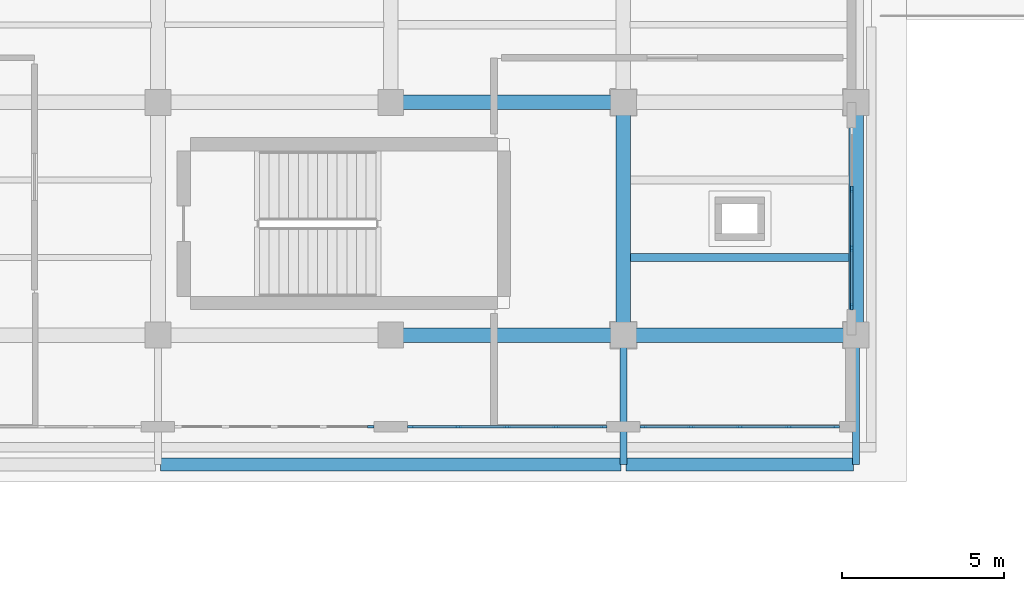
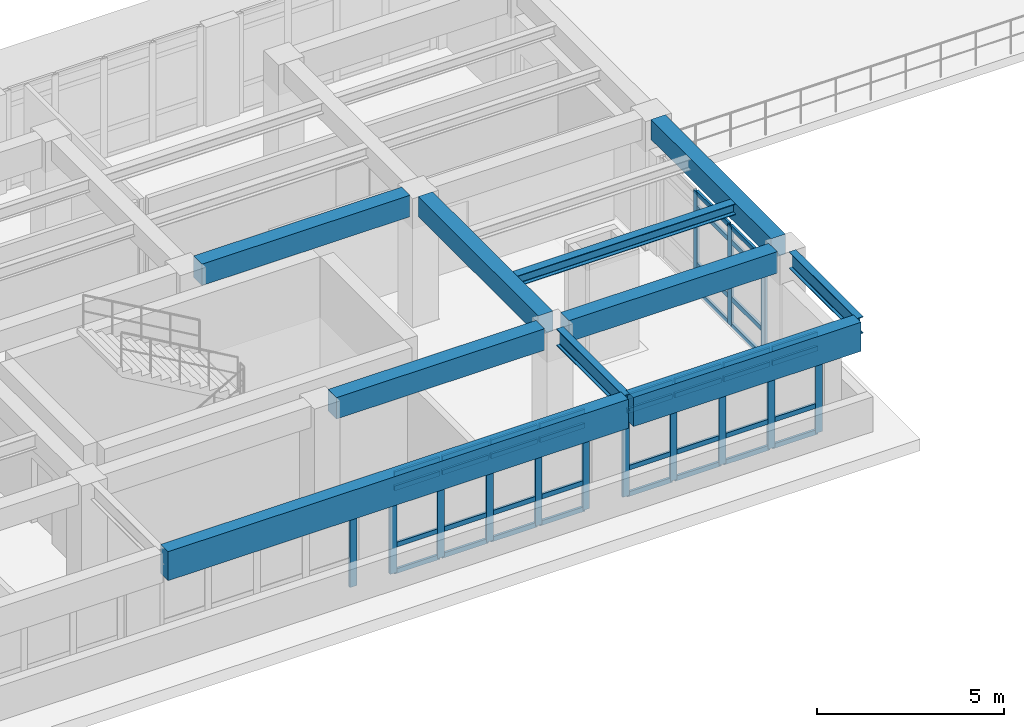
# One storey, part 13 of 67: 54 members, 10 beams, 4 elements without a shape of their own.
"""IFC4 building model written with IfcOpenShell, lengths in metres."""

from ifc_helpers import new_model, si_unit, direction, frame, origin, origin_2d, place, context, subcontext, project, spatial, rectangle, i_section, extrude, material, layer, layer_set, material_profile, profile_set, type_object, element, aggregate, save


model = new_model("IFC4")

# Units and contexts
model_context = context("Model", 3, precision=1e-05, world=origin(), true_north=direction((0.0, 1.0)))
body_context = subcontext(model_context, "Body", "Model", "MODEL_VIEW")
ifc_project = project(units=[si_unit("LENGTHUNIT", "METRE"), si_unit("AREAUNIT", "SQUARE_METRE"), si_unit("VOLUMEUNIT", "CUBIC_METRE"), si_unit("PLANEANGLEUNIT", "RADIAN"), si_unit("MASSUNIT", "GRAM", prefix="KILO")], contexts=[model_context])

# Site, building, storey
site_placement = place(None, origin())
site = spatial("IfcSite", under=ifc_project, at=site_placement, CompositionType="ELEMENT")
building_placement = place(site_placement, origin())
building = spatial("IfcBuilding", under=site, at=building_placement, Name="Solenvale Faculty of Natural Sciences", CompositionType="ELEMENT")
storey_placement = place(building_placement, frame((0.0, 0.0, 13.5)))
storey = spatial("IfcBuildingStorey", under=building, at=storey_placement, Name="L03", CompositionType="ELEMENT", Elevation=13.5)

# Beams
ifc_material_1 = material(Name="Concrete 40 MPa", Category="concrete")
ifc_material_profile_1 = material_profile(ifc_material_1, rectangle(XDim=0.449951171875, YDim=0.64990234375, at=origin_2d()), Name="RC-BM-450x650")
ifc_profile_set_1 = profile_set([ifc_material_profile_1], Name="Concrete 40 MPa")
beam_type_1 = type_object("IfcBeamType", Name="BM-RC-450x650", PredefinedType="BEAM", material=ifc_profile_set_1)
for number, where, z_axis, x_axis, name in (
    (1, (108.0, 21.97998046875, 3.89501953125), (0.0, 1.0, 0.0), (-1.0, 0.0, 0.0), "L03 Y-Girder X108.0 (21.6..28.8)"),
    (2, (115.199951171875, 21.97998046875, 3.89501953125), (0.0, 1.0, 0.0), (-1.0, 0.0, 0.0), "L03 Y-Girder X115.2 (21.6..28.8)"),
):
    element("IfcBeam", number, at=place(storey_placement, frame(where, z_axis=z_axis, x_axis=x_axis)), inside=storey, type_object=beam_type_1, Name=name, PredefinedType="BEAM", context=body_context, shape_type="SweptSolid", body=[
        extrude(rectangle(XDim=0.449951171875, YDim=0.64990234375, at=origin_2d()), origin(), (0.0, 0.0, 1.0), 6.43994140625),
    ])
ifc_material_profile_2 = material_profile(ifc_material_1, rectangle(XDim=0.449951171875, YDim=0.699951171875, at=origin_2d()), Name="RC-BM-450x700")
ifc_profile_set_2 = profile_set([ifc_material_profile_2], Name="Concrete 40 MPa")
beam_type_2 = type_object("IfcBeamType", Name="BM-RC-450x700", PredefinedType="BEAM", material=ifc_profile_set_2)
for number, where, z_axis, x_axis, name in (
    (3, (101.179931640625, 21.60009765625, 3.8701171875), (1.0, 0.0, 0.0), (0.0, 1.0, 0.0), "L03 X-Girder Y21.6 (100.8..108.0)"),
    (4, (108.3798828125, 21.60009765625, 3.8701171875), (1.0, 0.0, 0.0), (0.0, 1.0, 0.0), "L03 X-Girder Y21.6 (108.0..115.2)"),
    (5, (101.179931640625, 28.800048828125, 3.8701171875), (1.0, 0.0, 0.0), (0.0, 1.0, 0.0), "L03 X-Girder Y28.8 (100.8..108.0)"),
):
    element("IfcBeam", number, at=place(storey_placement, frame(where, z_axis=z_axis, x_axis=x_axis)), inside=storey, type_object=beam_type_2, Name=name, PredefinedType="BEAM", context=body_context, shape_type="SweptSolid", body=[
        extrude(rectangle(XDim=0.449951171875, YDim=0.699951171875, at=origin_2d()), origin(), (0.0, 0.0, 1.0), 6.440185546875),
    ])
ifc_material_2 = material(Name="Architectural bronze concrete 40 MPa", Category="concrete")
ifc_material_profile_3 = material_profile(ifc_material_2, rectangle(XDim=0.39990234375, YDim=0.949951171875, at=origin_2d()), Name="RC-SPN-400x950")
ifc_profile_set_3 = profile_set([ifc_material_profile_3], Name="Architectural bronze concrete 40 MPa")
beam_type_3 = type_object("IfcBeamType", Name="BM-SPN-BRZ-950", PredefinedType="SPANDREL", material=ifc_profile_set_3)
beam_1_placement = place(storey_placement, frame((93.679931640625, 17.60009765625, 3.7451171875), z_axis=(1.0, 0.0, 0.0), x_axis=(0.0, 1.0, 0.0)))
element("IfcBeam", 6, at=beam_1_placement, inside=storey, type_object=beam_type_3, Name="L04 Sliding-Tray South Bronze Fascia 5", PredefinedType="SPANDREL", context=body_context, shape_type="SweptSolid", body=[
    extrude(rectangle(XDim=0.39990234375, YDim=0.949951171875, at=origin_2d()), origin(), (0.0, 0.0, 1.0), 14.239990234375),
])
beam_2_placement = place(storey_placement, frame((108.080078125, 17.60009765625, 3.7451171875), z_axis=(1.0, 0.0, 0.0), x_axis=(0.0, 1.0, 0.0)))
element("IfcBeam", 7, at=beam_2_placement, inside=storey, type_object=beam_type_3, Name="L04 Sliding-Tray South Bronze Fascia 6", PredefinedType="SPANDREL", context=body_context, shape_type="SweptSolid", body=[
    extrude(rectangle(XDim=0.39990234375, YDim=0.949951171875, at=origin_2d()), origin(), (0.0, 0.0, 1.0), 7.0400390625),
])
ifc_material_3 = material(Name="Steel S355", Category="steel")
ifc_material_profile_4 = material_profile(ifc_material_3, i_section(OverallWidth=0.2548828125, OverallDepth=0.35693359375, WebThickness=0.010498046875, FlangeThickness=0.018310546875, FilletRadius=0.014892578125, at=origin_2d()), Name="W360x101")
ifc_profile_set_4 = profile_set([ifc_material_profile_4], Name="Steel S355")
beam_type_4 = type_object("IfcBeamType", Name="BM-STL-W360x101", PredefinedType="JOIST", material=ifc_profile_set_4)
beam_3_placement = place(storey_placement, frame((108.205078125, 24.0, 4.04150390625), z_axis=(1.0, 0.0, 0.0), x_axis=(0.0, 1.0, 0.0)))
element("IfcBeam", 8, at=beam_3_placement, inside=storey, type_object=beam_type_4, Name="L03 Composite Floor Joist (16,4).1", PredefinedType="JOIST", context=body_context, shape_type="SweptSolid", body=[
    extrude(i_section(OverallWidth=0.2548828125, OverallDepth=0.35693359375, WebThickness=0.010498046875, FlangeThickness=0.018310546875, FilletRadius=0.014892578125, at=origin_2d()), origin(), (0.0, 0.0, 1.0), 6.7900390625),
])
ifc_material_profile_5 = material_profile(ifc_material_3, i_section(OverallWidth=0.2119140625, OverallDepth=0.5439453125, WebThickness=0.01318359375, FlangeThickness=0.021240234375, FilletRadius=0.01904296875, at=origin_2d()), Name="W530x123")
ifc_profile_set_5 = profile_set([ifc_material_profile_5], Name="Steel S355")
beam_type_5 = type_object("IfcBeamType", Name="BM-STL-W530x123", PredefinedType="BEAM", material=ifc_profile_set_5)
for number, where, z_axis, x_axis, name in (
    (9, (108.0, 21.219970703125, 3.947998046875), (0.0, -1.0, 0.0), (1.0, 0.0, 0.0), "L03 V4 Cantilever Tray Girder X108.0"),
    (10, (115.199951171875, 21.219970703125, 3.947998046875), (0.0, -1.0, 0.0), (1.0, 0.0, 0.0), "L03 V4 Cantilever Tray Girder X115.2"),
):
    element("IfcBeam", number, at=place(storey_placement, frame(where, z_axis=z_axis, x_axis=x_axis)), inside=storey, type_object=beam_type_5, Name=name, PredefinedType="BEAM", context=body_context, shape_type="SweptSolid", body=[
        extrude(i_section(OverallWidth=0.2119140625, OverallDepth=0.5439453125, WebThickness=0.01318359375, FlangeThickness=0.021240234375, FilletRadius=0.01904296875, at=origin_2d()), origin(), (0.0, 0.0, 1.0), 3.619873046875),
    ])

# Curtain wall, member
ifc_material_4 = material(Name="Anodised bronze aluminium", Category="aluminium")
ifc_layer_1 = layer(ifc_material_4, 0.18994140625)
ifc_layer_set_1 = layer_set([ifc_layer_1], Name="Anodised bronze aluminium")
curtain_wall_type_1 = type_object("IfcCurtainWallType", Name="CW-TRAY-REC", PredefinedType="USERDEFINED", material=ifc_layer_set_1)
curtain_wall_1_placement = place(storey_placement, origin())
curtain_wall_1 = element("IfcCurtainWall", 11, at=curtain_wall_1_placement, inside=storey, type_object=curtain_wall_type_1, Name="L03 Curtain Wall CW-L03-P1-E6-B6", ObjectType="UNITISED CURTAIN WALL", PredefinedType="USERDEFINED")
ifc_material_profile_6 = material_profile(ifc_material_4, rectangle(XDim=0.074951171875, YDim=0.2099609375, at=origin_2d()), Name="ALU-MUL-75x210")
ifc_profile_set_6 = profile_set([ifc_material_profile_6], Name="Anodised bronze aluminium")
member_type_1 = type_object("IfcMemberType", Name="CWM-ALU-75x210", PredefinedType="MULLION", material=ifc_profile_set_6)
member_1_placement = place(storey_placement, frame((100.1826171875, 18.762451171875, 0.0), z_axis=(0.0, 0.0, 1.0), x_axis=(0.0, 1.0, 0.0)))
member_1 = element("IfcMember", 12, at=member_1_placement, type_object=member_type_1, Name="CW-02 mullion 5", PredefinedType="MULLION", context=body_context, shape_type="SweptSolid", body=[
    extrude(rectangle(XDim=0.074951171875, YDim=0.2099609375, at=origin_2d()), origin(), (0.0, 0.0, 1.0), 3.260009765625),
])
aggregate(curtain_wall_1, [member_1])

# Curtain wall, members
curtain_wall_2_placement = place(storey_placement, origin())
curtain_wall_2 = element("IfcCurtainWall", 13, at=curtain_wall_2_placement, inside=storey, type_object=curtain_wall_type_1, Name="L03 Curtain Wall CW-L03-P1-E6-B7", ObjectType="UNITISED CURTAIN WALL", PredefinedType="USERDEFINED")
member_2_placement = place(storey_placement, frame((101.41748046875, 18.762451171875, 0.0), z_axis=(0.0, 0.0, 1.0), x_axis=(0.0, 1.0, 0.0)))
member_2 = element("IfcMember", 14, at=member_2_placement, type_object=member_type_1, Name="CW-02 mullion 1", PredefinedType="MULLION", context=body_context, shape_type="SweptSolid", body=[
    extrude(rectangle(XDim=0.074951171875, YDim=0.2099609375, at=origin_2d()), origin(), (0.0, 0.0, 1.0), 3.260009765625),
])
member_3_placement = place(storey_placement, frame((102.889892578125, 18.762451171875, 0.0), z_axis=(0.0, 0.0, 1.0), x_axis=(0.0, 1.0, 0.0)))
member_3 = element("IfcMember", 15, at=member_3_placement, type_object=member_type_1, Name="CW-02 mullion 2", PredefinedType="MULLION", context=body_context, shape_type="SweptSolid", body=[
    extrude(rectangle(XDim=0.074951171875, YDim=0.2099609375, at=origin_2d()), origin(), (0.0, 0.0, 1.0), 3.260009765625),
])
member_4_placement = place(storey_placement, frame((104.39990234375, 18.762451171875, 0.0), z_axis=(0.0, 0.0, 1.0), x_axis=(0.0, 1.0, 0.0)))
member_4 = element("IfcMember", 16, at=member_4_placement, type_object=member_type_1, Name="CW-02 mullion 3", PredefinedType="MULLION", context=body_context, shape_type="SweptSolid", body=[
    extrude(rectangle(XDim=0.074951171875, YDim=0.2099609375, at=origin_2d()), origin(), (0.0, 0.0, 1.0), 3.260009765625),
])
member_5_placement = place(storey_placement, frame((105.909912109375, 18.762451171875, 0.0), z_axis=(0.0, 0.0, 1.0), x_axis=(0.0, 1.0, 0.0)))
member_5 = element("IfcMember", 17, at=member_5_placement, type_object=member_type_1, Name="CW-02 mullion 4", PredefinedType="MULLION", context=body_context, shape_type="SweptSolid", body=[
    extrude(rectangle(XDim=0.074951171875, YDim=0.2099609375, at=origin_2d()), origin(), (0.0, 0.0, 1.0), 3.260009765625),
])
member_6_placement = place(storey_placement, frame((107.382568359375, 18.762451171875, 0.0), z_axis=(0.0, 0.0, 1.0), x_axis=(0.0, 1.0, 0.0)))
member_6 = element("IfcMember", 18, at=member_6_placement, type_object=member_type_1, Name="CW-02 mullion 5", PredefinedType="MULLION", context=body_context, shape_type="SweptSolid", body=[
    extrude(rectangle(XDim=0.074951171875, YDim=0.2099609375, at=origin_2d()), origin(), (0.0, 0.0, 1.0), 3.260009765625),
])

curtain_wall_3_placement = place(storey_placement, origin())
curtain_wall_3 = element("IfcCurtainWall", 19, at=curtain_wall_3_placement, inside=storey, type_object=curtain_wall_type_1, Name="L03 Curtain Wall CW-L03-P1-E6-B8", ObjectType="UNITISED CURTAIN WALL", PredefinedType="USERDEFINED")
member_7_placement = place(storey_placement, frame((108.617431640625, 18.762451171875, 0.0), z_axis=(0.0, 0.0, 1.0), x_axis=(0.0, 1.0, 0.0)))
member_7 = element("IfcMember", 20, at=member_7_placement, type_object=member_type_1, Name="CW-02 mullion 1", PredefinedType="MULLION", context=body_context, shape_type="SweptSolid", body=[
    extrude(rectangle(XDim=0.074951171875, YDim=0.2099609375, at=origin_2d()), origin(), (0.0, 0.0, 1.0), 3.260009765625),
])
member_8_placement = place(storey_placement, frame((110.090087890625, 18.762451171875, 0.0), z_axis=(0.0, 0.0, 1.0), x_axis=(0.0, 1.0, 0.0)))
member_8 = element("IfcMember", 21, at=member_8_placement, type_object=member_type_1, Name="CW-02 mullion 2", PredefinedType="MULLION", context=body_context, shape_type="SweptSolid", body=[
    extrude(rectangle(XDim=0.074951171875, YDim=0.2099609375, at=origin_2d()), origin(), (0.0, 0.0, 1.0), 3.260009765625),
])
member_9_placement = place(storey_placement, frame((111.60009765625, 18.762451171875, 0.0), z_axis=(0.0, 0.0, 1.0), x_axis=(0.0, 1.0, 0.0)))
member_9 = element("IfcMember", 22, at=member_9_placement, type_object=member_type_1, Name="CW-02 mullion 3", PredefinedType="MULLION", context=body_context, shape_type="SweptSolid", body=[
    extrude(rectangle(XDim=0.074951171875, YDim=0.2099609375, at=origin_2d()), origin(), (0.0, 0.0, 1.0), 3.260009765625),
])
member_10_placement = place(storey_placement, frame((113.110107421875, 18.762451171875, 0.0), z_axis=(0.0, 0.0, 1.0), x_axis=(0.0, 1.0, 0.0)))
member_10 = element("IfcMember", 23, at=member_10_placement, type_object=member_type_1, Name="CW-02 mullion 4", PredefinedType="MULLION", context=body_context, shape_type="SweptSolid", body=[
    extrude(rectangle(XDim=0.074951171875, YDim=0.2099609375, at=origin_2d()), origin(), (0.0, 0.0, 1.0), 3.260009765625),
])
member_11_placement = place(storey_placement, frame((114.58251953125, 18.762451171875, 0.0), z_axis=(0.0, 0.0, 1.0), x_axis=(0.0, 1.0, 0.0)))
member_11 = element("IfcMember", 24, at=member_11_placement, type_object=member_type_1, Name="CW-02 mullion 5", PredefinedType="MULLION", context=body_context, shape_type="SweptSolid", body=[
    extrude(rectangle(XDim=0.074951171875, YDim=0.2099609375, at=origin_2d()), origin(), (0.0, 0.0, 1.0), 3.260009765625),
])

ifc_layer_2 = layer(ifc_material_4, 0.179931640625)
ifc_layer_set_2 = layer_set([ifc_layer_2], Name="Anodised bronze aluminium")
curtain_wall_type_2 = type_object("IfcCurtainWallType", Name="CW-TWR-MOD", PredefinedType="USERDEFINED", material=ifc_layer_set_2)
curtain_wall_4_placement = place(storey_placement, origin())
curtain_wall_4 = element("IfcCurtainWall", 25, at=curtain_wall_4_placement, inside=storey, type_object=curtain_wall_type_2, Name="L03 Curtain Wall CW-L03-P1-E7-B2", ObjectType="UNITISED CURTAIN WALL", PredefinedType="USERDEFINED")
member_12_placement = place(storey_placement, frame((115.0576171875, 22.487548828125, 0.0), z_axis=(0.0, 0.0, 1.0), x_axis=(-1.0, 0.0, 0.0)))
member_12 = element("IfcMember", 26, at=member_12_placement, type_object=member_type_1, Name="CW-04 mullion 1", PredefinedType="MULLION", context=body_context, shape_type="SweptSolid", body=[
    extrude(rectangle(XDim=0.074951171875, YDim=0.2099609375, at=origin_2d()), origin(), (0.0, 0.0, 1.0), 3.260009765625),
])
member_13_placement = place(storey_placement, frame((115.0576171875, 24.283447265625, 0.0), z_axis=(0.0, 0.0, 1.0), x_axis=(-1.0, 0.0, 0.0)))
member_13 = element("IfcMember", 27, at=member_13_placement, type_object=member_type_1, Name="CW-04 mullion 2", PredefinedType="MULLION", context=body_context, shape_type="SweptSolid", body=[
    extrude(rectangle(XDim=0.074951171875, YDim=0.2099609375, at=origin_2d()), origin(), (0.0, 0.0, 1.0), 3.260009765625),
])
member_14_placement = place(storey_placement, frame((115.0576171875, 26.11669921875, 0.0), z_axis=(0.0, 0.0, 1.0), x_axis=(-1.0, 0.0, 0.0)))
member_14 = element("IfcMember", 28, at=member_14_placement, type_object=member_type_1, Name="CW-04 mullion 3", PredefinedType="MULLION", context=body_context, shape_type="SweptSolid", body=[
    extrude(rectangle(XDim=0.074951171875, YDim=0.2099609375, at=origin_2d()), origin(), (0.0, 0.0, 1.0), 3.260009765625),
])

# Member
ifc_material_profile_7 = material_profile(ifc_material_4, rectangle(XDim=0.074951171875, YDim=0.155029296875, at=origin_2d()), Name="ALU-TRN-75x155")
ifc_profile_set_7 = profile_set([ifc_material_profile_7], Name="Anodised bronze aluminium")
member_type_2 = type_object("IfcMemberType", Name="CWT-ALU-75x155", PredefinedType="USERDEFINED", material=ifc_profile_set_7)
member_15_placement = place(storey_placement, frame((101.455078125, 18.762451171875, 0.03759765625), z_axis=(1.0, 0.0, 0.0), x_axis=(0.0, 1.0, 0.0)))
member_15 = element("IfcMember", 29, at=member_15_placement, type_object=member_type_2, Name="CW-02 transom 1.1", ObjectType="TRANSOM", PredefinedType="USERDEFINED", context=body_context, shape_type="SweptSolid", body=[
    extrude(rectangle(XDim=0.074951171875, YDim=0.155029296875, at=origin_2d()), origin(), (0.0, 0.0, 1.0), 1.3974609375),
])

member_16_placement = place(storey_placement, frame((101.455078125, 18.762451171875, 0.89990234375), z_axis=(1.0, 0.0, 0.0), x_axis=(0.0, 1.0, 0.0)))
member_16 = element("IfcMember", 30, at=member_16_placement, type_object=member_type_2, Name="CW-02 transom 1.2", ObjectType="TRANSOM", PredefinedType="USERDEFINED", context=body_context, shape_type="SweptSolid", body=[
    extrude(rectangle(XDim=0.074951171875, YDim=0.155029296875, at=origin_2d()), origin(), (0.0, 0.0, 1.0), 1.3974609375),
])

member_17_placement = place(storey_placement, frame((101.455078125, 18.762451171875, 2.760009765625), z_axis=(1.0, 0.0, 0.0), x_axis=(0.0, 1.0, 0.0)))
member_17 = element("IfcMember", 31, at=member_17_placement, type_object=member_type_2, Name="CW-02 transom 1.3", ObjectType="TRANSOM", PredefinedType="USERDEFINED", context=body_context, shape_type="SweptSolid", body=[
    extrude(rectangle(XDim=0.074951171875, YDim=0.155029296875, at=origin_2d()), origin(), (0.0, 0.0, 1.0), 1.3974609375),
])

member_18_placement = place(storey_placement, frame((101.455078125, 18.762451171875, 3.222412109375), z_axis=(1.0, 0.0, 0.0), x_axis=(0.0, 1.0, 0.0)))
member_18 = element("IfcMember", 32, at=member_18_placement, type_object=member_type_2, Name="CW-02 transom 1.4", ObjectType="TRANSOM", PredefinedType="USERDEFINED", context=body_context, shape_type="SweptSolid", body=[
    extrude(rectangle(XDim=0.074951171875, YDim=0.155029296875, at=origin_2d()), origin(), (0.0, 0.0, 1.0), 1.3974609375),
])

member_19_placement = place(storey_placement, frame((102.927490234375, 18.762451171875, 0.03759765625), z_axis=(1.0, 0.0, 0.0), x_axis=(0.0, 1.0, 0.0)))
member_19 = element("IfcMember", 33, at=member_19_placement, type_object=member_type_2, Name="CW-02 transom 2.1", ObjectType="TRANSOM", PredefinedType="USERDEFINED", context=body_context, shape_type="SweptSolid", body=[
    extrude(rectangle(XDim=0.074951171875, YDim=0.155029296875, at=origin_2d()), origin(), (0.0, 0.0, 1.0), 1.43505859375),
])

member_20_placement = place(storey_placement, frame((102.927490234375, 18.762451171875, 0.89990234375), z_axis=(1.0, 0.0, 0.0), x_axis=(0.0, 1.0, 0.0)))
member_20 = element("IfcMember", 34, at=member_20_placement, type_object=member_type_2, Name="CW-02 transom 2.2", ObjectType="TRANSOM", PredefinedType="USERDEFINED", context=body_context, shape_type="SweptSolid", body=[
    extrude(rectangle(XDim=0.074951171875, YDim=0.155029296875, at=origin_2d()), origin(), (0.0, 0.0, 1.0), 1.43505859375),
])

member_21_placement = place(storey_placement, frame((102.927490234375, 18.762451171875, 2.760009765625), z_axis=(1.0, 0.0, 0.0), x_axis=(0.0, 1.0, 0.0)))
member_21 = element("IfcMember", 35, at=member_21_placement, type_object=member_type_2, Name="CW-02 transom 2.3", ObjectType="TRANSOM", PredefinedType="USERDEFINED", context=body_context, shape_type="SweptSolid", body=[
    extrude(rectangle(XDim=0.074951171875, YDim=0.155029296875, at=origin_2d()), origin(), (0.0, 0.0, 1.0), 1.43505859375),
])

member_22_placement = place(storey_placement, frame((102.927490234375, 18.762451171875, 3.222412109375), z_axis=(1.0, 0.0, 0.0), x_axis=(0.0, 1.0, 0.0)))
member_22 = element("IfcMember", 36, at=member_22_placement, type_object=member_type_2, Name="CW-02 transom 2.4", ObjectType="TRANSOM", PredefinedType="USERDEFINED", context=body_context, shape_type="SweptSolid", body=[
    extrude(rectangle(XDim=0.074951171875, YDim=0.155029296875, at=origin_2d()), origin(), (0.0, 0.0, 1.0), 1.43505859375),
])

member_23_placement = place(storey_placement, frame((104.4375, 18.762451171875, 0.03759765625), z_axis=(1.0, 0.0, 0.0), x_axis=(0.0, 1.0, 0.0)))
member_23 = element("IfcMember", 37, at=member_23_placement, type_object=member_type_2, Name="CW-02 transom 3.1", ObjectType="TRANSOM", PredefinedType="USERDEFINED", context=body_context, shape_type="SweptSolid", body=[
    extrude(rectangle(XDim=0.074951171875, YDim=0.155029296875, at=origin_2d()), origin(), (0.0, 0.0, 1.0), 1.43505859375),
])

member_24_placement = place(storey_placement, frame((104.4375, 18.762451171875, 0.89990234375), z_axis=(1.0, 0.0, 0.0), x_axis=(0.0, 1.0, 0.0)))
member_24 = element("IfcMember", 38, at=member_24_placement, type_object=member_type_2, Name="CW-02 transom 3.2", ObjectType="TRANSOM", PredefinedType="USERDEFINED", context=body_context, shape_type="SweptSolid", body=[
    extrude(rectangle(XDim=0.074951171875, YDim=0.155029296875, at=origin_2d()), origin(), (0.0, 0.0, 1.0), 1.43505859375),
])

member_25_placement = place(storey_placement, frame((104.4375, 18.762451171875, 2.760009765625), z_axis=(1.0, 0.0, 0.0), x_axis=(0.0, 1.0, 0.0)))
member_25 = element("IfcMember", 39, at=member_25_placement, type_object=member_type_2, Name="CW-02 transom 3.3", ObjectType="TRANSOM", PredefinedType="USERDEFINED", context=body_context, shape_type="SweptSolid", body=[
    extrude(rectangle(XDim=0.074951171875, YDim=0.155029296875, at=origin_2d()), origin(), (0.0, 0.0, 1.0), 1.43505859375),
])

member_26_placement = place(storey_placement, frame((104.4375, 18.762451171875, 3.222412109375), z_axis=(1.0, 0.0, 0.0), x_axis=(0.0, 1.0, 0.0)))
member_26 = element("IfcMember", 40, at=member_26_placement, type_object=member_type_2, Name="CW-02 transom 3.4", ObjectType="TRANSOM", PredefinedType="USERDEFINED", context=body_context, shape_type="SweptSolid", body=[
    extrude(rectangle(XDim=0.074951171875, YDim=0.155029296875, at=origin_2d()), origin(), (0.0, 0.0, 1.0), 1.43505859375),
])

member_27_placement = place(storey_placement, frame((105.947509765625, 18.762451171875, 0.03759765625), z_axis=(1.0, 0.0, 0.0), x_axis=(0.0, 1.0, 0.0)))
member_27 = element("IfcMember", 41, at=member_27_placement, type_object=member_type_2, Name="CW-02 transom 4.1", ObjectType="TRANSOM", PredefinedType="USERDEFINED", context=body_context, shape_type="SweptSolid", body=[
    extrude(rectangle(XDim=0.074951171875, YDim=0.155029296875, at=origin_2d()), origin(), (0.0, 0.0, 1.0), 1.3974609375),
])

member_28_placement = place(storey_placement, frame((105.947509765625, 18.762451171875, 0.89990234375), z_axis=(1.0, 0.0, 0.0), x_axis=(0.0, 1.0, 0.0)))
member_28 = element("IfcMember", 42, at=member_28_placement, type_object=member_type_2, Name="CW-02 transom 4.2", ObjectType="TRANSOM", PredefinedType="USERDEFINED", context=body_context, shape_type="SweptSolid", body=[
    extrude(rectangle(XDim=0.074951171875, YDim=0.155029296875, at=origin_2d()), origin(), (0.0, 0.0, 1.0), 1.3974609375),
])

member_29_placement = place(storey_placement, frame((105.947509765625, 18.762451171875, 2.760009765625), z_axis=(1.0, 0.0, 0.0), x_axis=(0.0, 1.0, 0.0)))
member_29 = element("IfcMember", 43, at=member_29_placement, type_object=member_type_2, Name="CW-02 transom 4.3", ObjectType="TRANSOM", PredefinedType="USERDEFINED", context=body_context, shape_type="SweptSolid", body=[
    extrude(rectangle(XDim=0.074951171875, YDim=0.155029296875, at=origin_2d()), origin(), (0.0, 0.0, 1.0), 1.3974609375),
])

member_30_placement = place(storey_placement, frame((105.947509765625, 18.762451171875, 3.222412109375), z_axis=(1.0, 0.0, 0.0), x_axis=(0.0, 1.0, 0.0)))
member_30 = element("IfcMember", 44, at=member_30_placement, type_object=member_type_2, Name="CW-02 transom 4.4", ObjectType="TRANSOM", PredefinedType="USERDEFINED", context=body_context, shape_type="SweptSolid", body=[
    extrude(rectangle(XDim=0.074951171875, YDim=0.155029296875, at=origin_2d()), origin(), (0.0, 0.0, 1.0), 1.3974609375),
])

aggregate(curtain_wall_2, [member_2, member_3, member_4, member_5, member_6, member_15, member_16, member_17, member_18, member_19, member_20, member_21, member_22, member_23, member_24, member_25, member_26, member_27, member_28, member_29, member_30])

member_31_placement = place(storey_placement, frame((108.655029296875, 18.762451171875, 0.03759765625), z_axis=(1.0, 0.0, 0.0), x_axis=(0.0, 1.0, 0.0)))
member_31 = element("IfcMember", 45, at=member_31_placement, type_object=member_type_2, Name="CW-02 transom 1.1", ObjectType="TRANSOM", PredefinedType="USERDEFINED", context=body_context, shape_type="SweptSolid", body=[
    extrude(rectangle(XDim=0.074951171875, YDim=0.155029296875, at=origin_2d()), origin(), (0.0, 0.0, 1.0), 1.3974609375),
])

member_32_placement = place(storey_placement, frame((108.655029296875, 18.762451171875, 0.89990234375), z_axis=(1.0, 0.0, 0.0), x_axis=(0.0, 1.0, 0.0)))
member_32 = element("IfcMember", 46, at=member_32_placement, type_object=member_type_2, Name="CW-02 transom 1.2", ObjectType="TRANSOM", PredefinedType="USERDEFINED", context=body_context, shape_type="SweptSolid", body=[
    extrude(rectangle(XDim=0.074951171875, YDim=0.155029296875, at=origin_2d()), origin(), (0.0, 0.0, 1.0), 1.3974609375),
])

member_33_placement = place(storey_placement, frame((108.655029296875, 18.762451171875, 2.760009765625), z_axis=(1.0, 0.0, 0.0), x_axis=(0.0, 1.0, 0.0)))
member_33 = element("IfcMember", 47, at=member_33_placement, type_object=member_type_2, Name="CW-02 transom 1.3", ObjectType="TRANSOM", PredefinedType="USERDEFINED", context=body_context, shape_type="SweptSolid", body=[
    extrude(rectangle(XDim=0.074951171875, YDim=0.155029296875, at=origin_2d()), origin(), (0.0, 0.0, 1.0), 1.3974609375),
])

member_34_placement = place(storey_placement, frame((108.655029296875, 18.762451171875, 3.222412109375), z_axis=(1.0, 0.0, 0.0), x_axis=(0.0, 1.0, 0.0)))
member_34 = element("IfcMember", 48, at=member_34_placement, type_object=member_type_2, Name="CW-02 transom 1.4", ObjectType="TRANSOM", PredefinedType="USERDEFINED", context=body_context, shape_type="SweptSolid", body=[
    extrude(rectangle(XDim=0.074951171875, YDim=0.155029296875, at=origin_2d()), origin(), (0.0, 0.0, 1.0), 1.3974609375),
])

member_35_placement = place(storey_placement, frame((110.12744140625, 18.762451171875, 0.03759765625), z_axis=(1.0, 0.0, 0.0), x_axis=(0.0, 1.0, 0.0)))
member_35 = element("IfcMember", 49, at=member_35_placement, type_object=member_type_2, Name="CW-02 transom 2.1", ObjectType="TRANSOM", PredefinedType="USERDEFINED", context=body_context, shape_type="SweptSolid", body=[
    extrude(rectangle(XDim=0.074951171875, YDim=0.155029296875, at=origin_2d()), origin(), (0.0, 0.0, 1.0), 1.43505859375),
])

member_36_placement = place(storey_placement, frame((110.12744140625, 18.762451171875, 0.89990234375), z_axis=(1.0, 0.0, 0.0), x_axis=(0.0, 1.0, 0.0)))
member_36 = element("IfcMember", 50, at=member_36_placement, type_object=member_type_2, Name="CW-02 transom 2.2", ObjectType="TRANSOM", PredefinedType="USERDEFINED", context=body_context, shape_type="SweptSolid", body=[
    extrude(rectangle(XDim=0.074951171875, YDim=0.155029296875, at=origin_2d()), origin(), (0.0, 0.0, 1.0), 1.43505859375),
])

member_37_placement = place(storey_placement, frame((110.12744140625, 18.762451171875, 2.760009765625), z_axis=(1.0, 0.0, 0.0), x_axis=(0.0, 1.0, 0.0)))
member_37 = element("IfcMember", 51, at=member_37_placement, type_object=member_type_2, Name="CW-02 transom 2.3", ObjectType="TRANSOM", PredefinedType="USERDEFINED", context=body_context, shape_type="SweptSolid", body=[
    extrude(rectangle(XDim=0.074951171875, YDim=0.155029296875, at=origin_2d()), origin(), (0.0, 0.0, 1.0), 1.43505859375),
])

member_38_placement = place(storey_placement, frame((110.12744140625, 18.762451171875, 3.222412109375), z_axis=(1.0, 0.0, 0.0), x_axis=(0.0, 1.0, 0.0)))
member_38 = element("IfcMember", 52, at=member_38_placement, type_object=member_type_2, Name="CW-02 transom 2.4", ObjectType="TRANSOM", PredefinedType="USERDEFINED", context=body_context, shape_type="SweptSolid", body=[
    extrude(rectangle(XDim=0.074951171875, YDim=0.155029296875, at=origin_2d()), origin(), (0.0, 0.0, 1.0), 1.43505859375),
])

member_39_placement = place(storey_placement, frame((111.637451171875, 18.762451171875, 0.03759765625), z_axis=(1.0, 0.0, 0.0), x_axis=(0.0, 1.0, 0.0)))
member_39 = element("IfcMember", 53, at=member_39_placement, type_object=member_type_2, Name="CW-02 transom 3.1", ObjectType="TRANSOM", PredefinedType="USERDEFINED", context=body_context, shape_type="SweptSolid", body=[
    extrude(rectangle(XDim=0.074951171875, YDim=0.155029296875, at=origin_2d()), origin(), (0.0, 0.0, 1.0), 1.43505859375),
])

member_40_placement = place(storey_placement, frame((111.637451171875, 18.762451171875, 0.89990234375), z_axis=(1.0, 0.0, 0.0), x_axis=(0.0, 1.0, 0.0)))
member_40 = element("IfcMember", 54, at=member_40_placement, type_object=member_type_2, Name="CW-02 transom 3.2", ObjectType="TRANSOM", PredefinedType="USERDEFINED", context=body_context, shape_type="SweptSolid", body=[
    extrude(rectangle(XDim=0.074951171875, YDim=0.155029296875, at=origin_2d()), origin(), (0.0, 0.0, 1.0), 1.43505859375),
])

member_41_placement = place(storey_placement, frame((111.637451171875, 18.762451171875, 2.760009765625), z_axis=(1.0, 0.0, 0.0), x_axis=(0.0, 1.0, 0.0)))
member_41 = element("IfcMember", 55, at=member_41_placement, type_object=member_type_2, Name="CW-02 transom 3.3", ObjectType="TRANSOM", PredefinedType="USERDEFINED", context=body_context, shape_type="SweptSolid", body=[
    extrude(rectangle(XDim=0.074951171875, YDim=0.155029296875, at=origin_2d()), origin(), (0.0, 0.0, 1.0), 1.43505859375),
])

member_42_placement = place(storey_placement, frame((111.637451171875, 18.762451171875, 3.222412109375), z_axis=(1.0, 0.0, 0.0), x_axis=(0.0, 1.0, 0.0)))
member_42 = element("IfcMember", 56, at=member_42_placement, type_object=member_type_2, Name="CW-02 transom 3.4", ObjectType="TRANSOM", PredefinedType="USERDEFINED", context=body_context, shape_type="SweptSolid", body=[
    extrude(rectangle(XDim=0.074951171875, YDim=0.155029296875, at=origin_2d()), origin(), (0.0, 0.0, 1.0), 1.43505859375),
])

member_43_placement = place(storey_placement, frame((113.1474609375, 18.762451171875, 0.03759765625), z_axis=(1.0, 0.0, 0.0), x_axis=(0.0, 1.0, 0.0)))
member_43 = element("IfcMember", 57, at=member_43_placement, type_object=member_type_2, Name="CW-02 transom 4.1", ObjectType="TRANSOM", PredefinedType="USERDEFINED", context=body_context, shape_type="SweptSolid", body=[
    extrude(rectangle(XDim=0.074951171875, YDim=0.155029296875, at=origin_2d()), origin(), (0.0, 0.0, 1.0), 1.3974609375),
])

member_44_placement = place(storey_placement, frame((113.1474609375, 18.762451171875, 0.89990234375), z_axis=(1.0, 0.0, 0.0), x_axis=(0.0, 1.0, 0.0)))
member_44 = element("IfcMember", 58, at=member_44_placement, type_object=member_type_2, Name="CW-02 transom 4.2", ObjectType="TRANSOM", PredefinedType="USERDEFINED", context=body_context, shape_type="SweptSolid", body=[
    extrude(rectangle(XDim=0.074951171875, YDim=0.155029296875, at=origin_2d()), origin(), (0.0, 0.0, 1.0), 1.3974609375),
])

member_45_placement = place(storey_placement, frame((113.1474609375, 18.762451171875, 2.760009765625), z_axis=(1.0, 0.0, 0.0), x_axis=(0.0, 1.0, 0.0)))
member_45 = element("IfcMember", 59, at=member_45_placement, type_object=member_type_2, Name="CW-02 transom 4.3", ObjectType="TRANSOM", PredefinedType="USERDEFINED", context=body_context, shape_type="SweptSolid", body=[
    extrude(rectangle(XDim=0.074951171875, YDim=0.155029296875, at=origin_2d()), origin(), (0.0, 0.0, 1.0), 1.3974609375),
])

member_46_placement = place(storey_placement, frame((113.1474609375, 18.762451171875, 3.222412109375), z_axis=(1.0, 0.0, 0.0), x_axis=(0.0, 1.0, 0.0)))
member_46 = element("IfcMember", 60, at=member_46_placement, type_object=member_type_2, Name="CW-02 transom 4.4", ObjectType="TRANSOM", PredefinedType="USERDEFINED", context=body_context, shape_type="SweptSolid", body=[
    extrude(rectangle(XDim=0.074951171875, YDim=0.155029296875, at=origin_2d()), origin(), (0.0, 0.0, 1.0), 1.3974609375),
])

aggregate(curtain_wall_3, [member_7, member_8, member_9, member_10, member_11, member_31, member_32, member_33, member_34, member_35, member_36, member_37, member_38, member_39, member_40, member_41, member_42, member_43, member_44, member_45, member_46])

member_47_placement = place(storey_placement, frame((115.0576171875, 22.52490234375, 0.03759765625), z_axis=(0.0, 1.0, 0.0), x_axis=(-1.0, 0.0, 0.0)))
member_47 = element("IfcMember", 61, at=member_47_placement, type_object=member_type_2, Name="CW-04 transom 1.1", ObjectType="TRANSOM", PredefinedType="USERDEFINED", context=body_context, shape_type="SweptSolid", body=[
    extrude(rectangle(XDim=0.074951171875, YDim=0.155029296875, at=origin_2d()), origin(), (0.0, 0.0, 1.0), 1.720947265625),
])

member_48_placement = place(storey_placement, frame((115.0576171875, 22.52490234375, 0.89990234375), z_axis=(0.0, 1.0, 0.0), x_axis=(-1.0, 0.0, 0.0)))
member_48 = element("IfcMember", 62, at=member_48_placement, type_object=member_type_2, Name="CW-04 transom 1.2", ObjectType="TRANSOM", PredefinedType="USERDEFINED", context=body_context, shape_type="SweptSolid", body=[
    extrude(rectangle(XDim=0.074951171875, YDim=0.155029296875, at=origin_2d()), origin(), (0.0, 0.0, 1.0), 1.720947265625),
])

member_49_placement = place(storey_placement, frame((115.0576171875, 22.52490234375, 2.760009765625), z_axis=(0.0, 1.0, 0.0), x_axis=(-1.0, 0.0, 0.0)))
member_49 = element("IfcMember", 63, at=member_49_placement, type_object=member_type_2, Name="CW-04 transom 1.3", ObjectType="TRANSOM", PredefinedType="USERDEFINED", context=body_context, shape_type="SweptSolid", body=[
    extrude(rectangle(XDim=0.074951171875, YDim=0.155029296875, at=origin_2d()), origin(), (0.0, 0.0, 1.0), 1.720947265625),
])

member_50_placement = place(storey_placement, frame((115.0576171875, 22.52490234375, 3.222412109375), z_axis=(0.0, 1.0, 0.0), x_axis=(-1.0, 0.0, 0.0)))
member_50 = element("IfcMember", 64, at=member_50_placement, type_object=member_type_2, Name="CW-04 transom 1.4", ObjectType="TRANSOM", PredefinedType="USERDEFINED", context=body_context, shape_type="SweptSolid", body=[
    extrude(rectangle(XDim=0.074951171875, YDim=0.155029296875, at=origin_2d()), origin(), (0.0, 0.0, 1.0), 1.720947265625),
])

member_51_placement = place(storey_placement, frame((115.0576171875, 24.32080078125, 0.03759765625), z_axis=(0.0, 1.0, 0.0), x_axis=(-1.0, 0.0, 0.0)))
member_51 = element("IfcMember", 65, at=member_51_placement, type_object=member_type_2, Name="CW-04 transom 2.1", ObjectType="TRANSOM", PredefinedType="USERDEFINED", context=body_context, shape_type="SweptSolid", body=[
    extrude(rectangle(XDim=0.074951171875, YDim=0.155029296875, at=origin_2d()), origin(), (0.0, 0.0, 1.0), 1.75830078125),
])

member_52_placement = place(storey_placement, frame((115.0576171875, 24.32080078125, 0.89990234375), z_axis=(0.0, 1.0, 0.0), x_axis=(-1.0, 0.0, 0.0)))
member_52 = element("IfcMember", 66, at=member_52_placement, type_object=member_type_2, Name="CW-04 transom 2.2", ObjectType="TRANSOM", PredefinedType="USERDEFINED", context=body_context, shape_type="SweptSolid", body=[
    extrude(rectangle(XDim=0.074951171875, YDim=0.155029296875, at=origin_2d()), origin(), (0.0, 0.0, 1.0), 1.75830078125),
])

member_53_placement = place(storey_placement, frame((115.0576171875, 24.32080078125, 2.760009765625), z_axis=(0.0, 1.0, 0.0), x_axis=(-1.0, 0.0, 0.0)))
member_53 = element("IfcMember", 67, at=member_53_placement, type_object=member_type_2, Name="CW-04 transom 2.3", ObjectType="TRANSOM", PredefinedType="USERDEFINED", context=body_context, shape_type="SweptSolid", body=[
    extrude(rectangle(XDim=0.074951171875, YDim=0.155029296875, at=origin_2d()), origin(), (0.0, 0.0, 1.0), 1.75830078125),
])

member_54_placement = place(storey_placement, frame((115.0576171875, 24.32080078125, 3.222412109375), z_axis=(0.0, 1.0, 0.0), x_axis=(-1.0, 0.0, 0.0)))
member_54 = element("IfcMember", 68, at=member_54_placement, type_object=member_type_2, Name="CW-04 transom 2.4", ObjectType="TRANSOM", PredefinedType="USERDEFINED", context=body_context, shape_type="SweptSolid", body=[
    extrude(rectangle(XDim=0.074951171875, YDim=0.155029296875, at=origin_2d()), origin(), (0.0, 0.0, 1.0), 1.75830078125),
])

aggregate(curtain_wall_4, [member_12, member_13, member_14, member_47, member_48, member_49, member_50, member_51, member_52, member_53, member_54])

save(model, "model.ifc")
